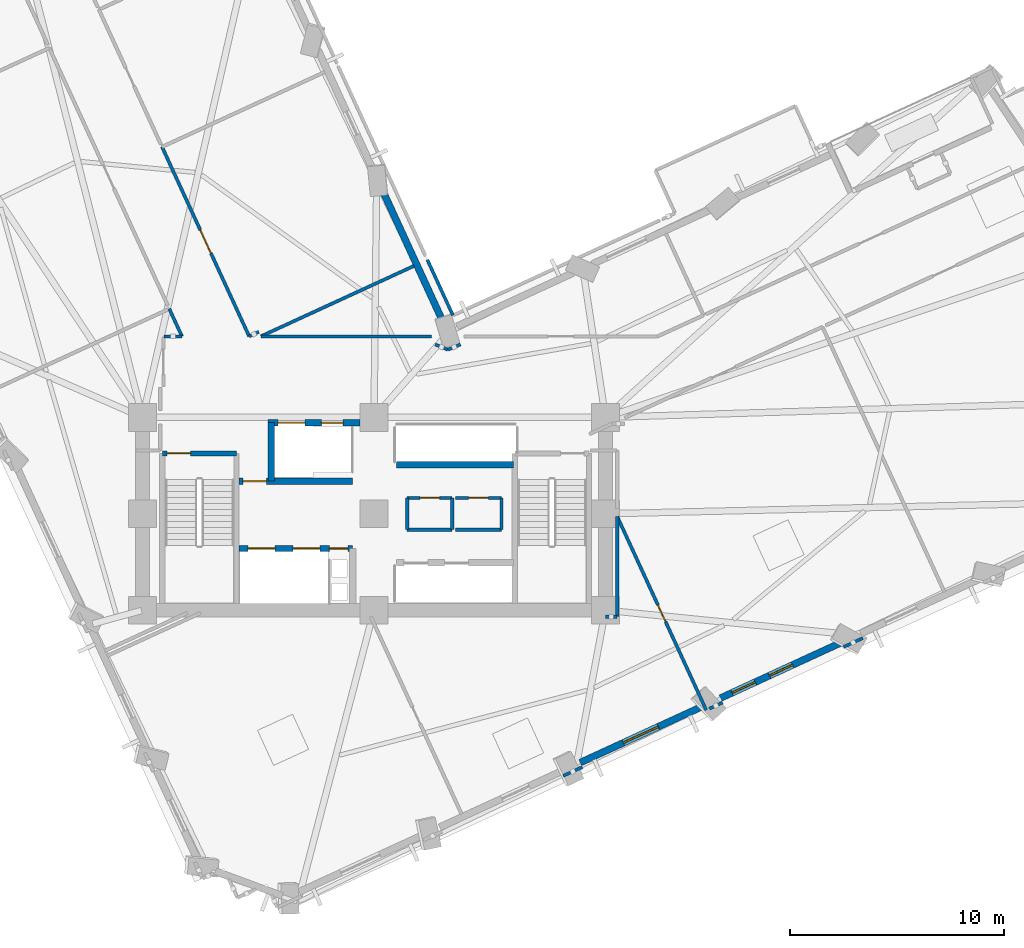
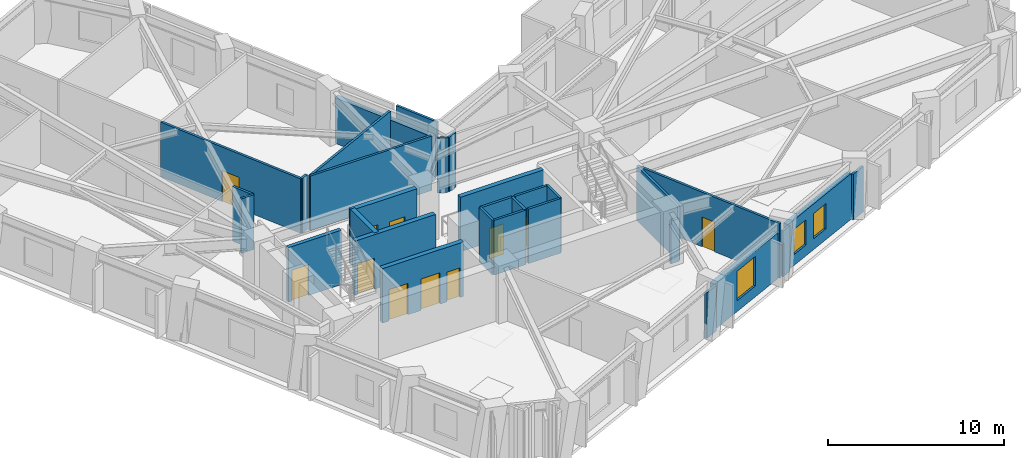
# One storey, part 8 of 16: 31 walls, 11 doors, 3 windows, 14 openings.
"""IFC4 building model written with IfcOpenShell, lengths in metres."""

from ifc_helpers import new_model, si_unit, direction, frame, frame_2d, origin, place, context, subcontext, project, spatial, rectangle, extrude, material, layer, layer_set, type_object, element, fill, save


model = new_model("IFC4")

# Units and contexts
model_context = context("Model", 3, precision=1e-05, world=origin(), true_north=direction((0.0, 1.0)))
body_context = subcontext(model_context, "Body", "Model", "MODEL_VIEW")
ifc_project = project(units=[si_unit("LENGTHUNIT", "METRE"), si_unit("AREAUNIT", "SQUARE_METRE"), si_unit("VOLUMEUNIT", "CUBIC_METRE"), si_unit("PLANEANGLEUNIT", "RADIAN"), si_unit("MASSUNIT", "GRAM", prefix="KILO")], contexts=[model_context])

# Site, building, storey
site_placement = place(None, origin())
site = spatial("IfcSite", under=ifc_project, at=site_placement, CompositionType="ELEMENT")
building_placement = place(site_placement, origin())
building = spatial("IfcBuilding", under=site, at=building_placement, Name="Gaonmaruhae Medical Tower", CompositionType="ELEMENT")
storey_placement = place(building_placement, frame((0.0, 0.0, 128.39990234375)))
storey = spatial("IfcBuildingStorey", under=building, at=storey_placement, Name="L30", CompositionType="ELEMENT", Elevation=128.39990234375)

# Wall, opening, window
ifc_material_1 = material(Name="Precast concrete C45/55", Category="concrete")
ifc_layer_1 = layer(ifc_material_1, 0.320068359375)
ifc_layer_set_1 = layer_set([ifc_layer_1], Name="Precast concrete C45/55")
wall_type_1 = type_object("IfcWallType", Name="EW-320 Lower Precast Masonry-Frame Facade Wall", PredefinedType="SOLIDWALL", material=ifc_layer_set_1)
wall_1_placement = place(storey_placement, frame((40.071044921875, 3.28564453125, 0.0), z_axis=(0.0, 0.0, 1.0), x_axis=(-0.908512825145, -0.417856969005, 0.0)))
wall_1 = element("IfcWall", 1, at=wall_1_placement, inside=storey, type_object=wall_type_1, Name="L30 Precast Masonry-Frame Wall S03-S04", PredefinedType="SOLIDWALL", context=body_context, shape_type="SweptSolid", body=[
    extrude(rectangle(XDim=6.21435546875, YDim=0.320068359375, at=frame_2d((3.107177734375, 0.0))), origin(), (0.0, 0.0, 1.0), 3.1650390625),
])
opening_1_placement = place(wall_1_placement, frame((2.20556640625, 0.0, 0.75)))
opening_1 = element("IfcOpeningElement", 2, at=opening_1_placement, cuts=wall_1, Name="Opening WN-04", PredefinedType="OPENING", context=body_context, shape_type="SweptSolid", body=[
    extrude(rectangle(XDim=1.800048828125, YDim=2.050048828125, at=frame_2d((0.89990234375, 1.02490234375))), frame((0.0, 0.169921875, 0.0), z_axis=(0.0, -1.0, 0.0), x_axis=(1.0, 0.0, 0.0)), (0.0, 0.0, 1.0), 0.340087890625),
])
ifc_material_2 = material(Name="Anodised aluminium and Low-E double glazing", Category="aluminium")
window_type_1 = type_object("IfcWindowType", Name="WN-04 Clinic & Consult Punched Window 1800x2050", PartitioningType="SINGLE_PANEL", PredefinedType="WINDOW", material=ifc_material_2)
window_1_placement = place(opening_1_placement, origin())
window_1 = element("IfcWindow", 3, at=window_1_placement, inside=storey, type_object=window_type_1, Name="L30 Modular Facade Window S03", OverallHeight=2.050048828125, OverallWidth=1.800048828125, PartitioningType="SINGLE_PANEL", PredefinedType="WINDOW", context=body_context, shape_type="SweptSolid", body=[
    extrude(rectangle(XDim=1.800048828125, YDim=2.050048828125, at=frame_2d((0.89990234375, 1.02490234375))), frame((0.0, 0.030029296875, 0.0), z_axis=(0.0, -1.0, 0.0), x_axis=(1.0, 0.0, 0.0)), (0.0, 0.0, 1.0), 0.06005859375),
])
fill(opening_1, window_1)

# Wall, openings, windows
wall_2_placement = place(storey_placement, frame((46.61279296875, 6.29443359375, 0.0), z_axis=(0.0, 0.0, 1.0), x_axis=(-0.90850985902, -0.417863417953, 0.0)))
wall_2 = element("IfcWall", 4, at=wall_2_placement, inside=storey, type_object=wall_type_1, Name="L30 Precast Masonry-Frame Wall S04-S05", PredefinedType="SOLIDWALL", context=body_context, shape_type="SweptSolid", body=[
    extrude(rectangle(XDim=6.208984375, YDim=0.320068359375, at=frame_2d((3.1044921875, 0.0))), origin(), (0.0, 0.0, 1.0), 3.1650390625),
])
opening_2_placement = place(wall_2_placement, frame((2.504638671875, 0.0, 0.75)))
opening_2 = element("IfcOpeningElement", 5, at=opening_2_placement, cuts=wall_2, Name="Opening WN-05", PredefinedType="OPENING", context=body_context, shape_type="SweptSolid", body=[
    extrude(rectangle(XDim=1.199951171875, YDim=1.75, at=frame_2d((0.60009765625, 0.875))), frame((0.0, 0.169921875, 0.0), z_axis=(0.0, -1.0, 0.0), x_axis=(1.0, 0.0, 0.0)), (0.0, 0.0, 1.0), 0.340087890625),
])
opening_3_placement = place(wall_2_placement, frame((4.421630859375, 0.0, 0.75)))
opening_3 = element("IfcOpeningElement", 6, at=opening_3_placement, cuts=wall_2, Name="Opening WN-05", PredefinedType="OPENING", context=body_context, shape_type="SweptSolid", body=[
    extrude(rectangle(XDim=1.199951171875, YDim=1.75, at=frame_2d((0.60009765625, 0.875))), frame((0.0, 0.169921875, 0.0), z_axis=(0.0, -1.0, 0.0), x_axis=(1.0, 0.0, 0.0)), (0.0, 0.0, 1.0), 0.340087890625),
])
window_type_2 = type_object("IfcWindowType", Name="WN-05 Support & Staff Punched Window 1200x1750", PartitioningType="SINGLE_PANEL", PredefinedType="WINDOW", material=ifc_material_2)
window_2_placement = place(opening_2_placement, origin())
window_2 = element("IfcWindow", 7, at=window_2_placement, inside=storey, type_object=window_type_2, Name="L30 Modular Facade Window S04", OverallHeight=1.75, OverallWidth=1.199951171875, PartitioningType="SINGLE_PANEL", PredefinedType="WINDOW", context=body_context, shape_type="SweptSolid", body=[
    extrude(rectangle(XDim=1.199951171875, YDim=1.75, at=frame_2d((0.60009765625, 0.875))), frame((0.0, 0.030029296875, 0.0), z_axis=(0.0, -1.0, 0.0), x_axis=(1.0, 0.0, 0.0)), (0.0, 0.0, 1.0), 0.06005859375),
])
fill(opening_2, window_2)
window_3_placement = place(opening_3_placement, origin())
window_3 = element("IfcWindow", 8, at=window_3_placement, inside=storey, type_object=window_type_2, Name="L30 Modular Facade Window S04B", OverallHeight=1.75, OverallWidth=1.199951171875, PartitioningType="SINGLE_PANEL", PredefinedType="WINDOW", context=body_context, shape_type="SweptSolid", body=[
    extrude(rectangle(XDim=1.199951171875, YDim=1.75, at=frame_2d((0.60009765625, 0.875))), frame((0.0, 0.030029296875, 0.0), z_axis=(0.0, -1.0, 0.0), x_axis=(1.0, 0.0, 0.0)), (0.0, 0.0, 1.0), 0.06005859375),
])
fill(opening_3, window_3)

# Walls
wall_3_placement = place(storey_placement, frame((25.2041015625, 27.37939453125, 0.0), z_axis=(0.0, 0.0, 1.0), x_axis=(0.417853145671, -0.908514583621, 0.0)))
element("IfcWall", 9, at=wall_3_placement, inside=storey, type_object=wall_type_1, Name="L30 Precast Masonry-Frame Wall KN01-NE01", PredefinedType="SOLIDWALL", context=body_context, shape_type="SweptSolid", body=[
    extrude(rectangle(XDim=6.760009765625, YDim=0.320068359375, at=frame_2d((3.3798828125, 0.0))), origin(), (0.0, 0.0, 1.0), 3.1650390625),
])
ifc_material_3 = material(Name="Gypsum board partition", Category="gypsum")
ifc_layer_2 = layer(ifc_material_3, 0.14990234375)
ifc_layer_set_2 = layer_set([ifc_layer_2], Name="Gypsum board partition")
wall_type_2 = type_object("IfcWallType", Name="PW-150 Rated Clinical Corridor Partition", PredefinedType="PARTITIONING", material=ifc_layer_set_2)
wall_4_placement = place(storey_placement, frame((26.35009765625, 11.56005859375, 0.0), z_axis=(0.0, 0.0, 1.0), x_axis=(0.0, 1.0, 0.0)))
element("IfcWall", 10, at=wall_4_placement, inside=storey, type_object=wall_type_2, Name="L30 Interior Partition L30-CS1-1", PredefinedType="PARTITIONING", context=body_context, shape_type="SweptSolid", body=[
    extrude(rectangle(XDim=1.47998046875, YDim=0.14990234375, at=frame_2d((0.739990234375, 0.0))), origin(), (0.0, 0.0, 1.0), 3.780029296875),
])

# Wall, opening, door
wall_5_placement = place(storey_placement, frame((26.35009765625, 13.0400390625, 0.0), z_axis=(0.0, 0.0, 1.0), x_axis=(1.0, 0.0, 0.0)))
wall_5 = element("IfcWall", 11, at=wall_5_placement, inside=storey, type_object=wall_type_2, Name="L30 Interior Partition L30-CS1-2", PredefinedType="PARTITIONING", context=body_context, shape_type="SweptSolid", body=[
    extrude(rectangle(XDim=2.099853515625, YDim=0.14990234375, at=frame_2d((1.0498046875, 0.0))), origin(), (0.0, 0.0, 1.0), 3.780029296875),
])
opening_4_placement = place(wall_5_placement, frame((0.590087890625, 0.0, 0.0)))
opening_4 = element("IfcOpeningElement", 12, at=opening_4_placement, cuts=wall_5, Name="Opening UD-01", PredefinedType="OPENING", context=body_context, shape_type="SweptSolid", body=[
    extrude(rectangle(XDim=0.919921875, YDim=2.10009765625, at=frame_2d((0.4599609375, 1.050048828125))), frame((0.0, 0.0849609375, 0.0), z_axis=(0.0, -1.0, 0.0), x_axis=(1.0, 0.0, 0.0)), (0.0, 0.0, 1.0), 0.169921875),
])
ifc_material_4 = material(Name="Powder-coated steel utility door", Category="steel")
door_type_1 = type_object("IfcDoorType", Name="UD-01 Toilet, Utility & Housekeeping Door 920x2100", OperationType="NOTDEFINED", PredefinedType="DOOR", material=ifc_material_4)
door_1_placement = place(opening_4_placement, origin())
door_1 = element("IfcDoor", 13, at=door_1_placement, inside=storey, type_object=door_type_1, Name="L30 Accessible Staff Toilet Door", OperationType="SINGLE_SWING_LEFT", OverallHeight=2.10009765625, OverallWidth=0.919921875, PredefinedType="DOOR", context=body_context, shape_type="SweptSolid", body=[
    extrude(rectangle(XDim=0.919921875, YDim=2.10009765625, at=frame_2d((0.4599609375, 1.050048828125))), frame((0.0, 0.02490234375, 0.0), z_axis=(0.0, -1.0, 0.0), x_axis=(1.0, 0.0, 0.0)), (0.0, 0.0, 1.0), 0.050048828125),
])
fill(opening_4, door_1)

# Walls
wall_6_placement = place(storey_placement, frame((28.449951171875, 13.0400390625, 0.0), z_axis=(0.0, 0.0, 1.0), x_axis=(0.0, -1.0, 0.0)))
element("IfcWall", 14, at=wall_6_placement, inside=storey, type_object=wall_type_2, Name="L30 Interior Partition L30-CS1-3", PredefinedType="PARTITIONING", context=body_context, shape_type="SweptSolid", body=[
    extrude(rectangle(XDim=1.47998046875, YDim=0.14990234375, at=frame_2d((0.739990234375, 0.0))), origin(), (0.0, 0.0, 1.0), 3.780029296875),
])
wall_7_placement = place(storey_placement, frame((28.449951171875, 11.56005859375, 0.0), z_axis=(0.0, 0.0, 1.0), x_axis=(-1.0, 0.0, 0.0)))
element("IfcWall", 15, at=wall_7_placement, inside=storey, type_object=wall_type_2, Name="L30 Interior Partition L30-CS1-4", PredefinedType="PARTITIONING", context=body_context, shape_type="SweptSolid", body=[
    extrude(rectangle(XDim=2.099853515625, YDim=0.14990234375, at=frame_2d((1.0498046875, 0.0))), origin(), (0.0, 0.0, 1.0), 3.780029296875),
])

# Wall, opening, door
wall_8_placement = place(storey_placement, frame((28.60009765625, 13.0400390625, 0.0), z_axis=(0.0, 0.0, 1.0), x_axis=(1.0, 0.0, 0.0)))
wall_8 = element("IfcWall", 16, at=wall_8_placement, inside=storey, type_object=wall_type_2, Name="L30 Interior Partition L30-CS2-5", PredefinedType="PARTITIONING", context=body_context, shape_type="SweptSolid", body=[
    extrude(rectangle(XDim=2.14990234375, YDim=0.14990234375, at=frame_2d((1.074951171875, 0.0))), origin(), (0.0, 0.0, 1.0), 3.780029296875),
])
opening_5_placement = place(wall_8_placement, frame((0.614990234375, 0.0, 0.0)))
opening_5 = element("IfcOpeningElement", 17, at=opening_5_placement, cuts=wall_8, Name="Opening UD-01", PredefinedType="OPENING", context=body_context, shape_type="SweptSolid", body=[
    extrude(rectangle(XDim=0.919921875, YDim=2.10009765625, at=frame_2d((0.4599609375, 1.050048828125))), frame((0.0, 0.0849609375, 0.0), z_axis=(0.0, -1.0, 0.0), x_axis=(1.0, 0.0, 0.0)), (0.0, 0.0, 1.0), 0.169921875),
])
door_2_placement = place(opening_5_placement, origin())
door_2 = element("IfcDoor", 18, at=door_2_placement, inside=storey, type_object=door_type_1, Name="L30 Biomedical Telemetry Closet Door", OperationType="SINGLE_SWING_RIGHT", OverallHeight=2.10009765625, OverallWidth=0.919921875, PredefinedType="DOOR", context=body_context, shape_type="SweptSolid", body=[
    extrude(rectangle(XDim=0.919921875, YDim=2.10009765625, at=frame_2d((0.4599609375, 1.050048828125))), frame((0.0, 0.02490234375, 0.0), z_axis=(0.0, -1.0, 0.0), x_axis=(1.0, 0.0, 0.0)), (0.0, 0.0, 1.0), 0.050048828125),
])
fill(opening_5, door_2)

# Walls
wall_9_placement = place(storey_placement, frame((30.75, 13.0400390625, 0.0), z_axis=(0.0, 0.0, 1.0), x_axis=(0.0, -1.0, 0.0)))
element("IfcWall", 19, at=wall_9_placement, inside=storey, type_object=wall_type_2, Name="L30 Interior Partition L30-CS2-6", PredefinedType="PARTITIONING", context=body_context, shape_type="SweptSolid", body=[
    extrude(rectangle(XDim=1.47998046875, YDim=0.14990234375, at=frame_2d((0.739990234375, 0.0))), origin(), (0.0, 0.0, 1.0), 3.780029296875),
])
wall_10_placement = place(storey_placement, frame((30.75, 11.56005859375, 0.0), z_axis=(0.0, 0.0, 1.0), x_axis=(-1.0, 0.0, 0.0)))
element("IfcWall", 20, at=wall_10_placement, inside=storey, type_object=wall_type_2, Name="L30 Interior Partition L30-CS2-7", PredefinedType="PARTITIONING", context=body_context, shape_type="SweptSolid", body=[
    extrude(rectangle(XDim=2.14990234375, YDim=0.14990234375, at=frame_2d((1.074951171875, 0.0))), origin(), (0.0, 0.0, 1.0), 3.780029296875),
])

# Wall, opening, door
wall_11_placement = place(storey_placement, frame((36.14990234375, 12.172119140625, 0.0), z_axis=(0.0, 0.0, 1.0), x_axis=(0.41784155891, -0.908519912631, 0.0)))
wall_11 = element("IfcWall", 21, at=wall_11_placement, inside=storey, type_object=wall_type_2, Name="L30 Interior Partition L30-SUP02-18", PredefinedType="PARTITIONING", context=body_context, shape_type="SweptSolid", body=[
    extrude(rectangle(XDim=9.941650390625, YDim=0.14990234375, at=frame_2d((4.970703125, 0.0))), origin(), (0.0, 0.0, 1.0), 3.780029296875),
])
opening_6_placement = place(wall_11_placement, frame((4.540771484375, 0.0, 0.0)))
opening_6 = element("IfcOpeningElement", 22, at=opening_6_placement, cuts=wall_11, Name="Opening AD-01", PredefinedType="OPENING", context=body_context, shape_type="SweptSolid", body=[
    extrude(rectangle(XDim=0.860107421875, YDim=2.06005859375, at=frame_2d((0.43017578125, 1.030029296875))), frame((0.0, 0.0849609375, 0.0), z_axis=(0.0, -1.0, 0.0), x_axis=(1.0, 0.0, 0.0)), (0.0, 0.0, 1.0), 0.169921875),
])
ifc_material_5 = material(Name="Powder-coated steel access door", Category="steel")
door_type_2 = type_object("IfcDoorType", Name="AD-01 Riser & Closet Access Fire Door 860x2060", OperationType="NOTDEFINED", PredefinedType="DOOR", material=ifc_material_5)
door_3_placement = place(opening_6_placement, origin())
door_3 = element("IfcDoor", 23, at=door_3_placement, inside=storey, type_object=door_type_2, Name="L30 Clinical Biomedical Charting Office Sliding Door", OperationType="SLIDING_TO_LEFT", OverallHeight=2.06005859375, OverallWidth=0.860107421875, PredefinedType="DOOR", context=body_context, shape_type="SweptSolid", body=[
    extrude(rectangle(XDim=0.860107421875, YDim=2.06005859375, at=frame_2d((0.43017578125, 1.030029296875))), frame((0.0, 0.02490234375, 0.0), z_axis=(0.0, -1.0, 0.0), x_axis=(1.0, 0.0, 0.0)), (0.0, 0.0, 1.0), 0.050048828125),
])
fill(opening_6, door_3)

# Walls
wall_12_placement = place(storey_placement, frame((34.52099609375, 0.47998046875, 0.0), z_axis=(0.0, 0.0, 1.0), x_axis=(-0.908477189887, -0.417934439182, 0.0)))
element("IfcWall", 24, at=wall_12_placement, inside=storey, type_object=wall_type_2, Name="L30 Interior Partition L30-SUP02-19", PredefinedType="PARTITIONING", context=body_context, shape_type="SweptSolid", body=[
    extrude(rectangle(XDim=0.978515625, YDim=0.14990234375, at=frame_2d((0.4892578125, 0.0))), origin(), (0.0, 0.0, 1.0), 3.1650390625),
])
wall_13_placement = place(storey_placement, frame((35.60009765625, 7.5, 0.0), z_axis=(0.0, 0.0, 1.0), x_axis=(1.0, 0.0, 0.0)))
element("IfcWall", 25, at=wall_13_placement, inside=storey, type_object=wall_type_2, Name="L30 Interior Partition L30-SUP02-20", PredefinedType="PARTITIONING", context=body_context, shape_type="SweptSolid", body=[
    extrude(rectangle(XDim=0.5498046875, YDim=0.14990234375, at=frame_2d((0.27490234375, 0.0))), origin(), (0.0, 0.0, 1.0), 2.965087890625),
])
wall_14_placement = place(storey_placement, frame((36.14990234375, 7.5, 0.0), z_axis=(0.0, 0.0, 1.0), x_axis=(0.0, 1.0, 0.0)))
element("IfcWall", 26, at=wall_14_placement, inside=storey, type_object=wall_type_2, Name="L30 Interior Partition L30-SUP02-21", PredefinedType="PARTITIONING", context=body_context, shape_type="SweptSolid", body=[
    extrude(rectangle(XDim=4.672119140625, YDim=0.14990234375, at=frame_2d((2.3359375, 0.0))), origin(), (0.0, 0.0, 1.0), 3.780029296875),
])
wall_15_placement = place(storey_placement, frame((47.60791015625, 6.4990234375, 0.0), z_axis=(0.0, 0.0, 1.0), x_axis=(-0.908276799682, -0.418369758897, 0.0)))
element("IfcWall", 27, at=wall_15_placement, inside=storey, type_object=wall_type_2, Name="L30 Interior Partition L30-SUP03-26", PredefinedType="PARTITIONING", context=body_context, shape_type="SweptSolid", body=[
    extrude(rectangle(XDim=0.98974609375, YDim=0.14990234375, at=frame_2d((0.494873046875, 0.0))), origin(), (0.0, 0.0, 1.0), 3.1650390625),
])
wall_16_placement = place(storey_placement, frame((41.068115234375, 3.490966796875, 0.0), z_axis=(0.0, 0.0, 1.0), x_axis=(-0.908724676368, -0.417396050006, 0.0)))
element("IfcWall", 28, at=wall_16_placement, inside=storey, type_object=wall_type_2, Name="L30 Interior Partition L30-SUP03-27", PredefinedType="PARTITIONING", context=body_context, shape_type="SweptSolid", body=[
    extrude(rectangle(XDim=0.68017578125, YDim=0.14990234375, at=frame_2d((0.340087890625, 0.0))), origin(), (0.0, 0.0, 1.0), 3.1650390625),
])
wall_17_placement = place(storey_placement, frame((15.248046875, 21.863037109375, 0.0), z_axis=(0.0, 0.0, 1.0), x_axis=(0.417720087302, -0.908575769358, 0.0)))
element("IfcWall", 29, at=wall_17_placement, inside=storey, type_object=wall_type_2, Name="L30 Interior Partition L30-WOF05-45", PredefinedType="PARTITIONING", context=body_context, shape_type="SweptSolid", body=[
    extrude(rectangle(XDim=1.412109375, YDim=0.14990234375, at=frame_2d((0.7060546875, 0.0))), origin(), (0.0, 0.0, 1.0), 3.780029296875),
])
wall_18_placement = place(storey_placement, frame((15.837890625, 20.580078125, 0.0), z_axis=(0.0, 0.0, 1.0), x_axis=(-1.0, 0.0, 0.0)))
element("IfcWall", 30, at=wall_18_placement, inside=storey, type_object=wall_type_2, Name="L30 Interior Partition L30-WOF05-46", PredefinedType="PARTITIONING", context=body_context, shape_type="SweptSolid", body=[
    extrude(rectangle(XDim=0.8408203125, YDim=0.14990234375, at=frame_2d((0.42041015625, 0.0))), origin(), (0.0, 0.0, 1.0), 3.780029296875),
])
wall_19_placement = place(storey_placement, frame((28.8359375, 20.202880859375, 0.0), z_axis=(0.0, 0.0, 1.0), x_axis=(-0.92334851348, -0.383962918333, 0.0)))
element("IfcWall", 31, at=wall_19_placement, inside=storey, type_object=wall_type_2, Name="L30 Interior Partition L30-IE01-59", PredefinedType="PARTITIONING", context=body_context, shape_type="SweptSolid", body=[
    extrude(rectangle(XDim=0.6376953125, YDim=0.14990234375, at=frame_2d((0.31884765625, 0.0))), origin(), (0.0, 0.0, 1.0), 3.780029296875),
])
wall_20_placement = place(storey_placement, frame((28.2470703125, 19.9580078125, 0.0), z_axis=(0.0, 0.0, 1.0), x_axis=(-0.923629954024, 0.383285413275, 0.0)))
element("IfcWall", 32, at=wall_20_placement, inside=storey, type_object=wall_type_2, Name="L30 Interior Partition L30-IE01-60", PredefinedType="PARTITIONING", context=body_context, shape_type="SweptSolid", body=[
    extrude(rectangle(XDim=0.638916015625, YDim=0.14990234375, at=frame_2d((0.3193359375, 0.0))), origin(), (0.0, 0.0, 1.0), 3.780029296875),
])
wall_21_placement = place(storey_placement, frame((27.48388671875, 20.580078125, 0.0), z_axis=(0.0, 0.0, 1.0), x_axis=(-1.0, 0.0, 0.0)))
element("IfcWall", 33, at=wall_21_placement, inside=storey, type_object=wall_type_2, Name="L30 Interior Partition L30-IE01-61", PredefinedType="PARTITIONING", context=body_context, shape_type="SweptSolid", body=[
    extrude(rectangle(XDim=7.96484375, YDim=0.14990234375, at=frame_2d((3.982421875, 0.0))), origin(), (0.0, 0.0, 1.0), 3.780029296875),
])
wall_22_placement = place(storey_placement, frame((19.51904296875, 20.580078125, 0.0), z_axis=(0.0, 0.0, 1.0), x_axis=(0.908518713995, 0.417844165115, 0.0)))
element("IfcWall", 34, at=wall_22_placement, inside=storey, type_object=wall_type_2, Name="L30 Interior Partition L30-IE01-62", PredefinedType="PARTITIONING", context=body_context, shape_type="SweptSolid", body=[
    extrude(rectangle(XDim=7.870849609375, YDim=0.14990234375, at=frame_2d((3.935546875, 0.0))), origin(), (0.0, 0.0, 1.0), 3.780029296875),
])
wall_23_placement = place(storey_placement, frame((27.2919921875, 24.155029296875, 0.0), z_axis=(0.0, 0.0, 1.0), x_axis=(0.417884396376, -0.908500209833, 0.0)))
element("IfcWall", 35, at=wall_23_placement, inside=storey, type_object=wall_type_2, Name="L30 Interior Partition L30-IE01-63", PredefinedType="PARTITIONING", context=body_context, shape_type="SweptSolid", body=[
    extrude(rectangle(XDim=2.849853515625, YDim=0.14990234375, at=frame_2d((1.4248046875, 0.0))), origin(), (0.0, 0.0, 1.0), 3.780029296875),
])
wall_24_placement = place(storey_placement, frame((19.424072265625, 20.785888671875, 0.0), z_axis=(0.0, 0.0, 1.0), x_axis=(-0.909041417837, -0.416705772287, 0.0)))
element("IfcWall", 36, at=wall_24_placement, inside=storey, type_object=wall_type_2, Name="L30 Interior Partition L30-IN01-82", PredefinedType="PARTITIONING", context=body_context, shape_type="SweptSolid", body=[
    extrude(rectangle(XDim=0.493896484375, YDim=0.14990234375, at=frame_2d((0.2470703125, 0.0))), origin(), (0.0, 0.0, 1.0), 3.780029296875),
])

# Wall, opening, door
wall_25_placement = place(storey_placement, frame((18.97509765625, 20.580078125, 0.0), z_axis=(0.0, 0.0, 1.0), x_axis=(-0.417888630953, 0.908498262035, 0.0)))
wall_25 = element("IfcWall", 37, at=wall_25_placement, inside=storey, type_object=wall_type_2, Name="L30 Interior Partition L30-IN01-83", PredefinedType="PARTITIONING", context=body_context, shape_type="SweptSolid", body=[
    extrude(rectangle(XDim=9.732666015625, YDim=0.14990234375, at=frame_2d((4.8662109375, 0.0))), origin(), (0.0, 0.0, 1.0), 3.780029296875),
])
opening_7_placement = place(wall_25_placement, frame((4.26611328125, 0.0, 0.0)))
opening_7 = element("IfcOpeningElement", 38, at=opening_7_placement, cuts=wall_25, Name="Opening CD-02", PredefinedType="OPENING", context=body_context, shape_type="SweptSolid", body=[
    extrude(rectangle(XDim=1.199951171875, YDim=2.14990234375, at=frame_2d((0.60009765625, 1.074951171875))), frame((0.0, 0.0849609375, 0.0), z_axis=(0.0, -1.0, 0.0), x_axis=(1.0, 0.0, 0.0)), (0.0, 0.0, 1.0), 0.169921875),
])
ifc_material_6 = material(Name="Antimicrobial laminate timber fire door", Category="wood")
door_type_3 = type_object("IfcDoorType", Name="CD-02 Clinical Treatment & Procedure Door 1200x2150", OperationType="NOTDEFINED", PredefinedType="DOOR", material=ifc_material_6)
door_4_placement = place(opening_7_placement, origin())
door_4 = element("IfcDoor", 39, at=door_4_placement, inside=storey, type_object=door_type_3, Name="L30 Physician Consultation Office Door", OperationType="SINGLE_SWING_LEFT", OverallHeight=2.14990234375, OverallWidth=1.199951171875, PredefinedType="DOOR", context=body_context, shape_type="SweptSolid", body=[
    extrude(rectangle(XDim=1.199951171875, YDim=2.14990234375, at=frame_2d((0.60009765625, 1.074951171875))), frame((0.0, 0.02490234375, 0.0), z_axis=(0.0, -1.0, 0.0), x_axis=(1.0, 0.0, 0.0)), (0.0, 0.0, 1.0), 0.050048828125),
])
fill(opening_7, door_4)

ifc_material_7 = material(Name="Concrete C50/60", Category="concrete")
ifc_layer_3 = layer(ifc_material_7, 0.239990234375)
ifc_layer_set_3 = layer_set([ifc_layer_3], Name="Concrete C50/60")
wall_type_3 = type_object("IfcWallType", Name="SW-240 Dogleg Stair Tight Shaft Wall", PredefinedType="SOLIDWALL", material=ifc_layer_set_3)
wall_26_placement = place(storey_placement, frame((14.919921875, 15.1201171875, 0.0), z_axis=(0.0, 0.0, 1.0), x_axis=(1.0, 0.0, 0.0)))
wall_26 = element("IfcWall", 40, at=wall_26_placement, inside=storey, type_object=wall_type_3, Name="L30 ST-01 Stair Shaft Wall SHW-ST-01-N", PredefinedType="SOLIDWALL", context=body_context, shape_type="SweptSolid", body=[
    extrude(rectangle(XDim=3.4599609375, YDim=0.239990234375, at=frame_2d((1.72998046875, 0.0))), origin(), (0.0, 0.0, 1.0), 3.780029296875),
])
opening_8_placement = place(wall_26_placement, frame((0.219970703125, 0.0, 0.0)))
opening_8 = element("IfcOpeningElement", 41, at=opening_8_placement, cuts=wall_26, Name="Opening FD-01", PredefinedType="OPENING", context=body_context, shape_type="SweptSolid", body=[
    extrude(rectangle(XDim=1.10009765625, YDim=2.14990234375, at=frame_2d((0.550048828125, 1.074951171875))), frame((0.0, 0.1298828125, 0.0), z_axis=(0.0, -1.0, 0.0), x_axis=(1.0, 0.0, 0.0)), (0.0, 0.0, 1.0), 0.260009765625),
])
ifc_material_8 = material(Name="Powder-coated steel fire door", Category="steel")
door_type_4 = type_object("IfcDoorType", Name="FD-01 Escape Stair Protected Fire Door 1100x2150", OperationType="NOTDEFINED", PredefinedType="DOOR", material=ifc_material_8)
door_5_placement = place(opening_8_placement, origin())
door_5 = element("IfcDoor", 42, at=door_5_placement, inside=storey, type_object=door_type_4, Name="L30 ST-01 Protected Escape Stair Door", OperationType="SINGLE_SWING_LEFT", OverallHeight=2.14990234375, OverallWidth=1.10009765625, PredefinedType="DOOR", context=body_context, shape_type="SweptSolid", body=[
    extrude(rectangle(XDim=1.10009765625, YDim=2.14990234375, at=frame_2d((0.550048828125, 1.074951171875))), frame((0.0, 0.02490234375, 0.0), z_axis=(0.0, -1.0, 0.0), x_axis=(1.0, 0.0, 0.0)), (0.0, 0.0, 1.0), 0.050048828125),
])
fill(opening_8, door_5)

# Wall, openings, doors
ifc_layer_4 = layer(ifc_material_7, 0.300048828125)
ifc_layer_set_4 = layer_set([ifc_layer_4], Name="Concrete C50/60")
wall_type_4 = type_object("IfcWallType", Name="SW-300 Stair & Lift Hoistway Shaft Wall", PredefinedType="SOLIDWALL", material=ifc_layer_set_4)
wall_27_placement = place(storey_placement, frame((19.85009765625, 16.550048828125, 0.0), z_axis=(0.0, 0.0, 1.0), x_axis=(1.0, 0.0, 0.0)))
wall_27 = element("IfcWall", 43, at=wall_27_placement, inside=storey, type_object=wall_type_4, Name="L30 Core Shear Wall CSW-NB", PredefinedType="SOLIDWALL", context=body_context, shape_type="SweptSolid", body=[
    extrude(rectangle(XDim=4.2998046875, YDim=0.300048828125, at=frame_2d((2.14990234375, 0.0))), origin(), (0.0, 0.0, 1.0), 3.780029296875),
])
opening_9_placement = place(wall_27_placement, frame((0.47509765625, 0.0, 0.0)))
opening_9 = element("IfcOpeningElement", 44, at=opening_9_placement, cuts=wall_27, Name="Opening LD-F1", PredefinedType="OPENING", context=body_context, shape_type="SweptSolid", body=[
    extrude(rectangle(XDim=1.25, YDim=2.179931640625, at=frame_2d((0.625, 1.08984375))), frame((0.0, 0.16015625, 0.0), z_axis=(0.0, -1.0, 0.0), x_axis=(1.0, 0.0, 0.0)), (0.0, 0.0, 1.0), 0.320068359375),
])
opening_10_placement = place(wall_27_placement, frame((2.489990234375, 0.0, 0.0)))
opening_10 = element("IfcOpeningElement", 45, at=opening_10_placement, cuts=wall_27, Name="Opening LD-S1", PredefinedType="OPENING", context=body_context, shape_type="SweptSolid", body=[
    extrude(rectangle(XDim=1.02001953125, YDim=2.1201171875, at=frame_2d((0.510009765625, 1.06005859375))), frame((0.0, 0.16015625, 0.0), z_axis=(0.0, -1.0, 0.0), x_axis=(1.0, 0.0, 0.0)), (0.0, 0.0, 1.0), 0.320068359375),
])
ifc_material_9 = material(Name="Brushed stainless steel 316L landing door", Category="steel")
door_type_5 = type_object("IfcDoorType", Name="LD-F1 Firefighting & Bed Lift Sliding Landing Door 1250x2180", OperationType="NOTDEFINED", PredefinedType="DOOR", material=ifc_material_9)
door_6_placement = place(opening_9_placement, origin())
door_6 = element("IfcDoor", 46, at=door_6_placement, inside=storey, type_object=door_type_5, Name="L30 Service/Bed Lift Landing Door BDL-01", OperationType="DOUBLE_DOOR_SLIDING", OverallHeight=2.179931640625, OverallWidth=1.25, PredefinedType="DOOR", context=body_context, shape_type="SweptSolid", body=[
    extrude(rectangle(XDim=1.25, YDim=2.179931640625, at=frame_2d((0.625, 1.08984375))), frame((0.0, 0.02490234375, 0.0), z_axis=(0.0, -1.0, 0.0), x_axis=(1.0, 0.0, 0.0)), (0.0, 0.0, 1.0), 0.050048828125),
])
fill(opening_9, door_6)
ifc_material_10 = material(Name="Brushed stainless steel 304 landing door", Category="steel")
door_type_6 = type_object("IfcDoorType", Name="LD-S1 Service Lift Sliding Landing Door 1020x2120", OperationType="NOTDEFINED", PredefinedType="DOOR", material=ifc_material_10)
door_7_placement = place(opening_10_placement, origin())
door_7 = element("IfcDoor", 47, at=door_7_placement, inside=storey, type_object=door_type_6, Name="L30 Service/Bed Lift Landing Door SVL-01", OperationType="SLIDING_TO_LEFT", OverallHeight=2.1201171875, OverallWidth=1.02001953125, PredefinedType="DOOR", context=body_context, shape_type="SweptSolid", body=[
    extrude(rectangle(XDim=1.02001953125, YDim=2.1201171875, at=frame_2d((0.510009765625, 1.06005859375))), frame((0.0, 0.02490234375, 0.0), z_axis=(0.0, -1.0, 0.0), x_axis=(1.0, 0.0, 0.0)), (0.0, 0.0, 1.0), 0.050048828125),
])
fill(opening_10, door_7)

wall_28_placement = place(storey_placement, frame((18.5, 10.679931640625, 0.0), z_axis=(0.0, 0.0, 1.0), x_axis=(1.0, 0.0, 0.0)))
wall_28 = element("IfcWall", 48, at=wall_28_placement, inside=storey, type_object=wall_type_4, Name="L30 Shaft Enclosure Wall SHW-FFN", PredefinedType="SOLIDWALL", context=body_context, shape_type="SweptSolid", body=[
    extrude(rectangle(XDim=5.300048828125, YDim=0.300048828125, at=frame_2d((2.64990234375, 0.0))), origin(), (0.0, 0.0, 1.0), 3.780029296875),
])
opening_11_placement = place(wall_28_placement, frame((4.219970703125, 0.0, 0.0)))
opening_11 = element("IfcOpeningElement", 49, at=opening_11_placement, cuts=wall_28, Name="Opening AD-01", PredefinedType="OPENING", context=body_context, shape_type="SweptSolid", body=[
    extrude(rectangle(XDim=0.860107421875, YDim=2.06005859375, at=frame_2d((0.43017578125, 1.030029296875))), frame((0.0, 0.16015625, 0.0), z_axis=(0.0, -1.0, 0.0), x_axis=(1.0, 0.0, 0.0)), (0.0, 0.0, 1.0), 0.320068359375),
])
opening_12_placement = place(wall_28_placement, frame((0.425048828125, 0.0, 0.0)))
opening_12 = element("IfcOpeningElement", 50, at=opening_12_placement, cuts=wall_28, Name="Opening LD-F1", PredefinedType="OPENING", context=body_context, shape_type="SweptSolid", body=[
    extrude(rectangle(XDim=1.25, YDim=2.179931640625, at=frame_2d((0.625, 1.08984375))), frame((0.0, 0.16015625, 0.0), z_axis=(0.0, -1.0, 0.0), x_axis=(1.0, 0.0, 0.0)), (0.0, 0.0, 1.0), 0.320068359375),
])
opening_13_placement = place(wall_28_placement, frame((2.52490234375, 0.0, 0.0)))
opening_13 = element("IfcOpeningElement", 51, at=opening_13_placement, cuts=wall_28, Name="Opening LD-F1", PredefinedType="OPENING", context=body_context, shape_type="SweptSolid", body=[
    extrude(rectangle(XDim=1.25, YDim=2.179931640625, at=frame_2d((0.625, 1.08984375))), frame((0.0, 0.16015625, 0.0), z_axis=(0.0, -1.0, 0.0), x_axis=(1.0, 0.0, 0.0)), (0.0, 0.0, 1.0), 0.320068359375),
])
door_8_placement = place(opening_11_placement, origin())
door_8 = element("IfcDoor", 52, at=door_8_placement, inside=storey, type_object=door_type_2, Name="L30 Medical Gas and MEP Riser Access Door", OperationType="SINGLE_SWING_RIGHT", OverallHeight=2.06005859375, OverallWidth=0.860107421875, PredefinedType="DOOR", context=body_context, shape_type="SweptSolid", body=[
    extrude(rectangle(XDim=0.860107421875, YDim=2.06005859375, at=frame_2d((0.43017578125, 1.030029296875))), frame((0.0, 0.02490234375, 0.0), z_axis=(0.0, -1.0, 0.0), x_axis=(1.0, 0.0, 0.0)), (0.0, 0.0, 1.0), 0.050048828125),
])
fill(opening_11, door_8)
door_9_placement = place(opening_12_placement, origin())
door_9 = element("IfcDoor", 53, at=door_9_placement, inside=storey, type_object=door_type_5, Name="L30 Firefighting Lift Landing Door FFL-01", OperationType="DOUBLE_DOOR_SLIDING", OverallHeight=2.179931640625, OverallWidth=1.25, PredefinedType="DOOR", context=body_context, shape_type="SweptSolid", body=[
    extrude(rectangle(XDim=1.25, YDim=2.179931640625, at=frame_2d((0.625, 1.08984375))), frame((0.0, 0.02490234375, 0.0), z_axis=(0.0, -1.0, 0.0), x_axis=(1.0, 0.0, 0.0)), (0.0, 0.0, 1.0), 0.050048828125),
])
fill(opening_12, door_9)
door_10_placement = place(opening_13_placement, origin())
door_10 = element("IfcDoor", 54, at=door_10_placement, inside=storey, type_object=door_type_5, Name="L30 Firefighting Lift Landing Door FFL-02", OperationType="DOUBLE_DOOR_SLIDING", OverallHeight=2.179931640625, OverallWidth=1.25, PredefinedType="DOOR", context=body_context, shape_type="SweptSolid", body=[
    extrude(rectangle(XDim=1.25, YDim=2.179931640625, at=frame_2d((0.625, 1.08984375))), frame((0.0, 0.02490234375, 0.0), z_axis=(0.0, -1.0, 0.0), x_axis=(1.0, 0.0, 0.0)), (0.0, 0.0, 1.0), 0.050048828125),
])
fill(opening_13, door_10)

# Wall, opening, door
wall_29_placement = place(storey_placement, frame((18.5, 13.820068359375, 0.0), z_axis=(0.0, 0.0, 1.0), x_axis=(1.0, 0.0, 0.0)))
wall_29 = element("IfcWall", 55, at=wall_29_placement, inside=storey, type_object=wall_type_4, Name="L30 Shaft Enclosure Wall SHW-FFL", PredefinedType="SOLIDWALL", context=body_context, shape_type="SweptSolid", body=[
    extrude(rectangle(XDim=5.300048828125, YDim=0.300048828125, at=frame_2d((2.64990234375, 0.0))), origin(), (0.0, 0.0, 1.0), 3.780029296875),
])
opening_14_placement = place(wall_29_placement, frame((0.179931640625, 0.0, 0.0)))
opening_14 = element("IfcOpeningElement", 56, at=opening_14_placement, cuts=wall_29, Name="Opening FD-01", PredefinedType="OPENING", context=body_context, shape_type="SweptSolid", body=[
    extrude(rectangle(XDim=1.10009765625, YDim=2.14990234375, at=frame_2d((0.550048828125, 1.074951171875))), frame((0.0, 0.16015625, 0.0), z_axis=(0.0, -1.0, 0.0), x_axis=(1.0, 0.0, 0.0)), (0.0, 0.0, 1.0), 0.320068359375),
])
door_11_placement = place(opening_14_placement, origin())
door_11 = element("IfcDoor", 57, at=door_11_placement, inside=storey, type_object=door_type_4, Name="L30 Firefighting Lobby Smoke Door", OperationType="SINGLE_SWING_LEFT", OverallHeight=2.14990234375, OverallWidth=1.10009765625, PredefinedType="DOOR", context=body_context, shape_type="SweptSolid", body=[
    extrude(rectangle(XDim=1.10009765625, YDim=2.14990234375, at=frame_2d((0.550048828125, 1.074951171875))), frame((0.0, 0.02490234375, 0.0), z_axis=(0.0, -1.0, 0.0), x_axis=(1.0, 0.0, 0.0)), (0.0, 0.0, 1.0), 0.050048828125),
])
fill(opening_14, door_11)

# Walls
wall_30_placement = place(storey_placement, frame((20.0, 13.820068359375, 0.0), z_axis=(0.0, 0.0, 1.0), x_axis=(0.0, 1.0, 0.0)))
element("IfcWall", 58, at=wall_30_placement, inside=storey, type_object=wall_type_4, Name="L30 Shaft Enclosure Wall SHW-BDW", PredefinedType="SOLIDWALL", context=body_context, shape_type="SweptSolid", body=[
    extrude(rectangle(XDim=2.72998046875, YDim=0.300048828125, at=frame_2d((1.364990234375, 0.0))), origin(), (0.0, 0.0, 1.0), 3.780029296875),
])
wall_31_placement = place(storey_placement, frame((25.85009765625, 14.580078125, 0.0), z_axis=(0.0, 0.0, 1.0), x_axis=(1.0, 0.0, 0.0)))
element("IfcWall", 59, at=wall_31_placement, inside=storey, type_object=wall_type_4, Name="L30 Shaft Enclosure Wall SHW-PLN", PredefinedType="SOLIDWALL", context=body_context, shape_type="SweptSolid", body=[
    extrude(rectangle(XDim=5.449951171875, YDim=0.300048828125, at=frame_2d((2.72509765625, 0.0))), origin(), (0.0, 0.0, 1.0), 3.780029296875),
])

save(model, "model.ifc")
